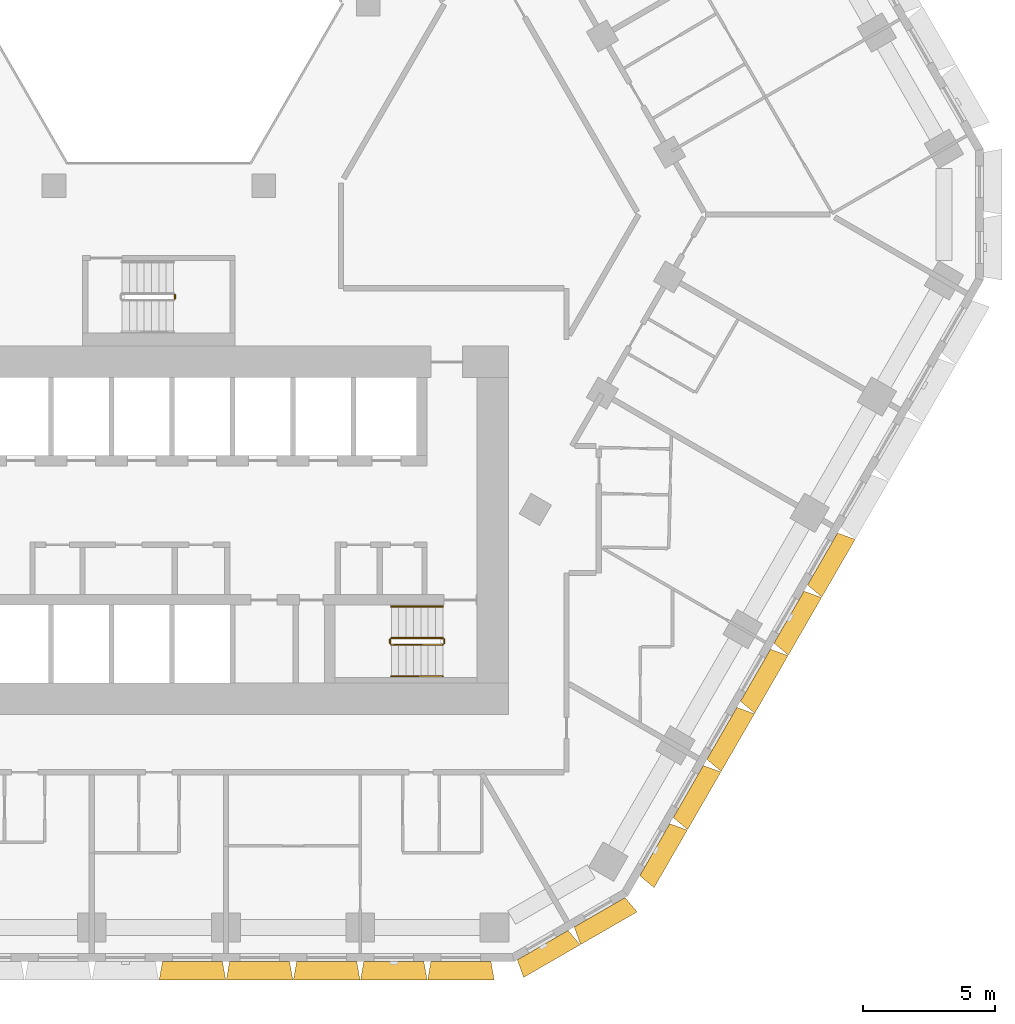
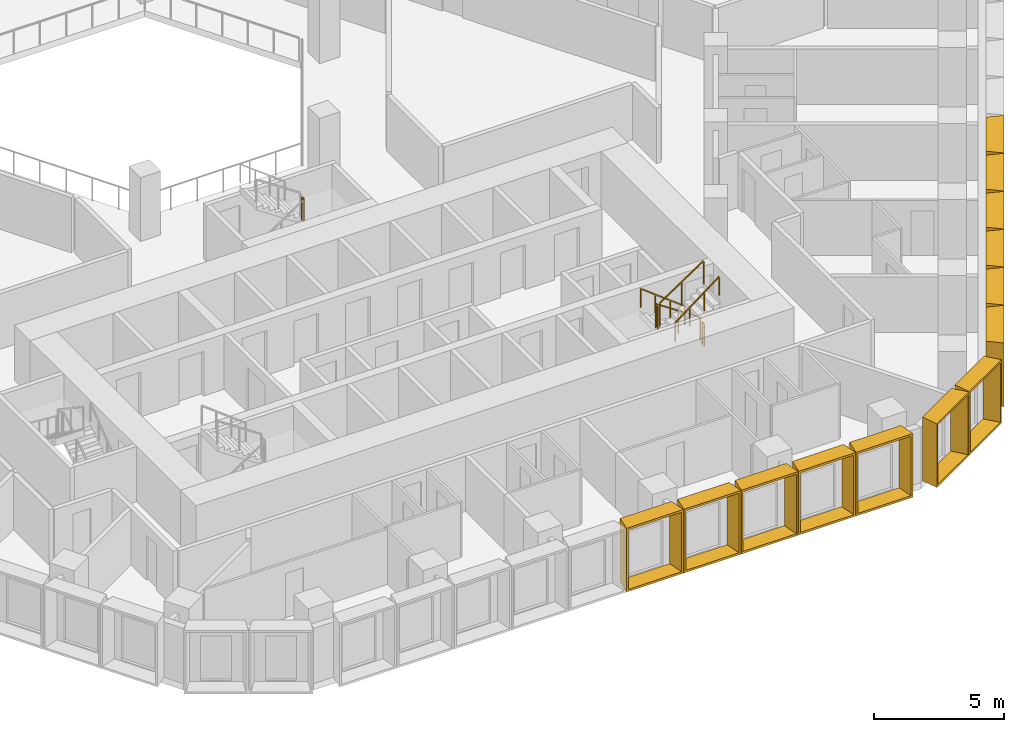
# One storey, part 20 of 21: 13 shading devices, 7 railings.
"""IFC4 building model written with IfcOpenShell, lengths in metres."""

from ifc_helpers import new_model, entity, si_unit, direction, frame, origin, origin_2d, place, context, subcontext, project, spatial, rectangle, extrude, source, transform, mapped, material, type_object, type_shapes, element, save


model = new_model("IFC4")

# Units and contexts
model_context = context("Model", 3, precision=1e-05, world=origin(), true_north=direction((0.0, 1.0)))
body_context = subcontext(model_context, "Body", "Model", "MODEL_VIEW")
ifc_project = project(units=[si_unit("LENGTHUNIT", "METRE"), si_unit("AREAUNIT", "SQUARE_METRE"), si_unit("VOLUMEUNIT", "CUBIC_METRE"), si_unit("PLANEANGLEUNIT", "RADIAN"), si_unit("MASSUNIT", "GRAM", prefix="KILO")], contexts=[model_context])

# Site, building, storey
site_placement = place(None, origin())
site = spatial("IfcSite", under=ifc_project, at=site_placement, CompositionType="ELEMENT")
building_placement = place(site_placement, origin())
building = spatial("IfcBuilding", under=site, at=building_placement, Name="Beryl Residences", CompositionType="ELEMENT")
storey_placement = place(building_placement, frame((0.0, 0.0, 59.39990234375)))
storey = spatial("IfcBuildingStorey", under=building, at=storey_placement, Name="L18", CompositionType="ELEMENT", Elevation=59.39990234375)

# Shading devices
ifc_material_1 = material(Name="Aluminium pale anodised", Category="aluminium")
shading_device_type_1 = type_object("IfcShadingDeviceType", Name="FR250-70A OUTER SKIN frame 700 mm deep, splay 10/10 deg, 2500 x 3000 mm cell", PredefinedType="USERDEFINED", material=ifc_material_1)
cartesian_point_1 = entity("IfcCartesianPoint", [-1.116455078125, 0.0])
cartesian_point_2 = entity("IfcCartesianPoint", [-1.03515625, 0.10009765625])
cartesian_point_3 = entity("IfcCartesianPoint", [-1.239990234375, 0.0])
cartesian_point_4 = entity("IfcCartesianPoint", [-1.15869140625, 0.10009765625])
shared_shape_1 = source(origin(), body_context, "Body", "SweptSolid", [
    entity("IfcExtrudedAreaSolidTapered", entity("IfcArbitraryProfileDefWithVoids", "AREA", None, entity("IfcPolyline", [cartesian_point_1, entity("IfcCartesianPoint", [1.116455078125, 0.0]), entity("IfcCartesianPoint", [1.116455078125, 3.0]), entity("IfcCartesianPoint", [-1.116455078125, 3.0]), cartesian_point_1]), [entity("IfcPolyline", [cartesian_point_2, entity("IfcCartesianPoint", [1.03515625, 0.10009765625]), entity("IfcCartesianPoint", [1.03515625, 2.89990234375]), entity("IfcCartesianPoint", [-1.03515625, 2.89990234375]), cartesian_point_2])]), entity("IfcAxis2Placement3D", entity("IfcCartesianPoint", [0.0, 0.0, 0.0]), entity("IfcDirection", [0.0, 1.0, 0.0]), entity("IfcDirection", [-1.0, 0.0, 0.0])), entity("IfcDirection", [0.0, 0.0, 1.0]), 0.699951171875, entity("IfcArbitraryProfileDefWithVoids", "AREA", None, entity("IfcPolyline", [cartesian_point_3, entity("IfcCartesianPoint", [1.239990234375, 0.0]), entity("IfcCartesianPoint", [1.239990234375, 3.0]), entity("IfcCartesianPoint", [-1.239990234375, 3.0]), cartesian_point_3]), [entity("IfcPolyline", [cartesian_point_4, entity("IfcCartesianPoint", [1.15869140625, 0.10009765625]), entity("IfcCartesianPoint", [1.15869140625, 2.89990234375]), entity("IfcCartesianPoint", [-1.15869140625, 2.89990234375]), cartesian_point_4])])),
])
type_shapes(shading_device_type_1, [shared_shape_1])
for number, where, z_axis, x_axis, name in (
    (1, (14.593017578125, -27.77490234375, 0.0), (0.0, 0.0, 1.0), (-0.866025403784, -0.5, 0.0), "FR250-70A frame L18 S-SE 1"),
    (2, (16.758056640625, -26.52490234375, 0.0), (0.0, 0.0, 1.0), (-0.866025403784, -0.5, 0.0), "FR250-70A frame L18 S-SE 2"),
):
    element("IfcShadingDevice", number, at=place(storey_placement, frame(where, z_axis=z_axis, x_axis=x_axis)), inside=storey, type_object=shading_device_type_1, Name=name, ObjectType="OUTER SKIN", PredefinedType="USERDEFINED", context=body_context, shape_type="MappedRepresentation", body=[
        mapped(shared_shape_1, transform((0.0, 0.0, 0.0))),
    ])
ifc_material_2 = material(Name="Aluminium pale anodised", Category="aluminium")
shading_device_type_2 = type_object("IfcShadingDeviceType", Name="FR255-70A OUTER SKIN frame 700 mm deep, splay 10/10 deg, 2550 x 3000 mm cell", PredefinedType="USERDEFINED", material=ifc_material_2)
cartesian_point_5 = entity("IfcCartesianPoint", [-1.1416015625, 0.0])
cartesian_point_6 = entity("IfcCartesianPoint", [-1.060302734375, 0.10009765625])
cartesian_point_7 = entity("IfcCartesianPoint", [-1.264892578125, 0.0])
cartesian_point_8 = entity("IfcCartesianPoint", [-1.18359375, 0.10009765625])
shared_shape_2 = source(origin(), body_context, "Body", "SweptSolid", [
    entity("IfcExtrudedAreaSolidTapered", entity("IfcArbitraryProfileDefWithVoids", "AREA", None, entity("IfcPolyline", [cartesian_point_5, entity("IfcCartesianPoint", [1.1416015625, 0.0]), entity("IfcCartesianPoint", [1.1416015625, 3.0]), entity("IfcCartesianPoint", [-1.1416015625, 3.0]), cartesian_point_5]), [entity("IfcPolyline", [cartesian_point_6, entity("IfcCartesianPoint", [1.060302734375, 0.10009765625]), entity("IfcCartesianPoint", [1.060302734375, 2.89990234375]), entity("IfcCartesianPoint", [-1.060302734375, 2.89990234375]), cartesian_point_6])]), entity("IfcAxis2Placement3D", entity("IfcCartesianPoint", [0.0, 0.0, 0.0]), entity("IfcDirection", [0.0, 1.0, 0.0]), entity("IfcDirection", [-1.0, 0.0, 0.0])), entity("IfcDirection", [0.0, 0.0, 1.0]), 0.699951171875, entity("IfcArbitraryProfileDefWithVoids", "AREA", None, entity("IfcPolyline", [cartesian_point_7, entity("IfcCartesianPoint", [1.264892578125, 0.0]), entity("IfcCartesianPoint", [1.264892578125, 3.0]), entity("IfcCartesianPoint", [-1.264892578125, 3.0]), cartesian_point_7]), [entity("IfcPolyline", [cartesian_point_8, entity("IfcCartesianPoint", [1.18359375, 0.10009765625]), entity("IfcCartesianPoint", [1.18359375, 2.89990234375]), entity("IfcCartesianPoint", [-1.18359375, 2.89990234375]), cartesian_point_8])])),
])
type_shapes(shading_device_type_2, [shared_shape_2])
for number, where, z_axis, x_axis, name in (
    (3, (1.277099609375, -28.39990234375, 0.0), (0.0, 0.0, 1.0), (-1.0, 0.0, 0.0), "FR255-70A frame L18 S 6"),
    (4, (3.8291015625, -28.39990234375, 0.0), (0.0, 0.0, 1.0), (-1.0, 0.0, 0.0), "FR255-70A frame L18 S 7"),
    (5, (6.381103515625, -28.39990234375, 0.0), (0.0, 0.0, 1.0), (-1.0, 0.0, 0.0), "FR255-70A frame L18 S 8"),
    (6, (8.93310546875, -28.39990234375, 0.0), (0.0, 0.0, 1.0), (-1.0, 0.0, 0.0), "FR255-70A frame L18 S 9"),
    (7, (11.485107421875, -28.39990234375, 0.0), (0.0, 0.0, 1.0), (-1.0, 0.0, 0.0), "FR255-70A frame L18 S 10"),
    (8, (18.85400390625, -24.14501953125, 0.0), (0.0, 0.0, 1.0), (-0.5, -0.866025403784, 0.0), "FR255-70A frame L18 SE 1"),
    (9, (20.1298828125, -21.93505859375, 0.0), (0.0, 0.0, 1.0), (-0.5, -0.866025403784, 0.0), "FR255-70A frame L18 SE 2"),
    (10, (21.406005859375, -19.72412109375, 0.0), (0.0, 0.0, 1.0), (-0.5, -0.866025403784, 0.0), "FR255-70A frame L18 SE 3"),
    (11, (22.681884765625, -17.513916015625, 0.0), (0.0, 0.0, 1.0), (-0.5, -0.866025403784, 0.0), "FR255-70A frame L18 SE 4"),
    (12, (23.9580078125, -15.303955078125, 0.0), (0.0, 0.0, 1.0), (-0.5, -0.866025403784, 0.0), "FR255-70A frame L18 SE 5"),
    (13, (25.23291015625, -13.093994140625, 0.0), (0.0, 0.0, 1.0), (-0.5, -0.866025403784, 0.0), "FR255-70A frame L18 SE 6"),
):
    element("IfcShadingDevice", number, at=place(storey_placement, frame(where, z_axis=z_axis, x_axis=x_axis)), inside=storey, type_object=shading_device_type_2, Name=name, ObjectType="OUTER SKIN", PredefinedType="USERDEFINED", context=body_context, shape_type="MappedRepresentation", body=[
        mapped(shared_shape_2, transform((0.0, 0.0, 0.0))),
    ])

# Railings
ifc_material_3 = material(Name="Stainless steel balustrade with glass infill", Category="steel")
railing_type_1 = type_object("IfcRailingType", Name="SG1 stair guard 1100 mm", PredefinedType="GUARDRAIL", material=ifc_material_3)
railing_1_placement = place(storey_placement, frame((10.800048828125, -16.10009765625, 0.1875)))
element("IfcRailing", 14, at=railing_1_placement, inside=storey, type_object=railing_type_1, Name="L18 ST-3 stair guard 1", PredefinedType="GUARDRAIL", context=body_context, shape_type="SweptSolid", body=[
    extrude(rectangle(XDim=0.048095703125, YDim=0.048095703125, at=origin_2d()), frame((0.0, 0.0, 1.076171875), z_axis=(-0.830902050051, 0.0, 0.556418712142), x_axis=(0.0, -1.0, 0.0)), (0.0, 0.0, 1.0), 2.35888671875),
    extrude(rectangle(XDim=0.0419921875, YDim=0.0419921875, at=origin_2d()), origin(), (0.0, 0.0, 1.0), 1.052001953125),
    extrude(rectangle(XDim=0.0419921875, YDim=0.0419921875, at=origin_2d()), frame((-0.97998046875, 0.0, 0.65625)), (0.0, 0.0, 1.0), 1.052001953125),
    extrude(rectangle(XDim=0.0419921875, YDim=0.0419921875, at=origin_2d()), frame((-1.9599609375, 0.0, 1.3125)), (0.0, 0.0, 1.0), 1.052001953125),
])
railing_2_placement = place(storey_placement, frame((8.7900390625, -16.14990234375, 1.5)))
element("IfcRailing", 15, at=railing_2_placement, inside=storey, type_object=railing_type_1, Name="L18 ST-3 stair guard 2", PredefinedType="GUARDRAIL", context=body_context, shape_type="SweptSolid", body=[
    extrude(rectangle(XDim=0.048095703125, YDim=0.048095703125, at=origin_2d()), frame((0.0, 0.0, 1.076171875), z_axis=(0.0, -1.0, 0.0), x_axis=(1.0, 0.0, 0.0)), (0.0, 0.0, 1.0), 0.150146484375),
    extrude(rectangle(XDim=0.0419921875, YDim=0.0419921875, at=origin_2d()), origin(), (0.0, 0.0, 1.0), 1.052001953125),
    extrude(rectangle(XDim=0.0419921875, YDim=0.0419921875, at=origin_2d()), frame((0.0, -0.150146484375, 0.0)), (0.0, 0.0, 1.0), 1.052001953125),
])
railing_3_placement = place(storey_placement, frame((8.840087890625, -16.35009765625, 1.6875)))
element("IfcRailing", 16, at=railing_3_placement, inside=storey, type_object=railing_type_1, Name="L18 ST-3 stair guard 3", PredefinedType="GUARDRAIL", context=body_context, shape_type="SweptSolid", body=[
    extrude(rectangle(XDim=0.048095703125, YDim=0.048095703125, at=origin_2d()), frame((0.0, 0.0, 1.076171875), z_axis=(0.830902050051, 0.0, 0.556418712142), x_axis=(0.0, 1.0, 0.0)), (0.0, 0.0, 1.0), 2.35888671875),
    extrude(rectangle(XDim=0.0419921875, YDim=0.0419921875, at=origin_2d()), origin(), (0.0, 0.0, 1.0), 1.052001953125),
    extrude(rectangle(XDim=0.0419921875, YDim=0.0419921875, at=origin_2d()), frame((0.97998046875, 0.0, 0.65625)), (0.0, 0.0, 1.0), 1.052001953125),
    extrude(rectangle(XDim=0.0419921875, YDim=0.0419921875, at=origin_2d()), frame((1.9599609375, 0.0, 1.3125)), (0.0, 0.0, 1.0), 1.052001953125),
])
railing_4_placement = place(storey_placement, frame((10.85009765625, -16.14990234375, 0.0)))
element("IfcRailing", 17, at=railing_4_placement, inside=storey, type_object=railing_type_1, Name="L18 ST-3 stair guard 4", PredefinedType="GUARDRAIL", context=body_context, shape_type="SweptSolid", body=[
    extrude(rectangle(XDim=0.048095703125, YDim=0.048095703125, at=origin_2d()), frame((0.0, 0.0, 1.076171875), z_axis=(0.0, -1.0, 0.0), x_axis=(1.0, 0.0, 0.0)), (0.0, 0.0, 1.0), 0.150146484375),
    extrude(rectangle(XDim=0.0419921875, YDim=0.0419921875, at=origin_2d()), origin(), (0.0, 0.0, 1.0), 1.052001953125),
    extrude(rectangle(XDim=0.0419921875, YDim=0.0419921875, at=origin_2d()), frame((0.0, -0.150146484375, 0.0)), (0.0, 0.0, 1.0), 1.052001953125),
])
railing_5_placement = place(storey_placement, frame((0.610107421875, -3.199951171875, 1.5)))
element("IfcRailing", 18, at=railing_5_placement, inside=storey, type_object=railing_type_1, Name="L18 ST-4 stair guard 2", PredefinedType="GUARDRAIL", context=body_context, shape_type="SweptSolid", body=[
    extrude(rectangle(XDim=0.048095703125, YDim=0.048095703125, at=origin_2d()), frame((0.0, 0.0, 1.076171875), z_axis=(0.0, 1.0, 0.0), x_axis=(-1.0, 0.0, 0.0)), (0.0, 0.0, 1.0), 0.14990234375),
    extrude(rectangle(XDim=0.0419921875, YDim=0.0419921875, at=origin_2d()), origin(), (0.0, 0.0, 1.0), 1.052001953125),
    extrude(rectangle(XDim=0.0419921875, YDim=0.0419921875, at=origin_2d()), frame((0.0, 0.14990234375, 0.0)), (0.0, 0.0, 1.0), 1.052001953125),
])
ifc_material_4 = material(Name="Stainless steel handrail", Category="steel")
railing_type_2 = type_object("IfcRailingType", Name="SRL1 stair handrail 900 mm", PredefinedType="HANDRAIL", material=ifc_material_4)
railing_6_placement = place(storey_placement, frame((10.800048828125, -14.89990234375, 0.1875)))
element("IfcRailing", 19, at=railing_6_placement, inside=storey, type_object=railing_type_2, Name="L18 ST-3 stair handrail 1", PredefinedType="HANDRAIL", context=body_context, shape_type="SweptSolid", body=[
    extrude(rectangle(XDim=0.048095703125, YDim=0.048095703125, at=origin_2d()), frame((0.0, 0.0, 0.8759765625), z_axis=(-0.794121922505, 0.0, 0.607758481798), x_axis=(0.0, -1.0, 0.0)), (0.0, 0.0, 1.0), 2.468017578125),
    extrude(rectangle(XDim=0.0419921875, YDim=0.0419921875, at=origin_2d()), origin(), (0.0, 0.0, 1.0), 0.851806640625),
    extrude(rectangle(XDim=0.0419921875, YDim=0.0419921875, at=origin_2d()), frame((-0.6533203125, 0.0, 0.5)), (0.0, 0.0, 1.0), 0.851806640625),
    extrude(rectangle(XDim=0.0419921875, YDim=0.0419921875, at=origin_2d()), frame((-1.306640625, 0.0, 1.0)), (0.0, 0.0, 1.0), 0.851806640625),
    extrude(rectangle(XDim=0.0419921875, YDim=0.0419921875, at=origin_2d()), frame((-1.9599609375, 0.0, 1.5)), (0.0, 0.0, 1.0), 0.851806640625),
])
railing_7_placement = place(storey_placement, frame((8.840087890625, -17.550048828125, 1.6875)))
element("IfcRailing", 20, at=railing_7_placement, inside=storey, type_object=railing_type_2, Name="L18 ST-3 stair handrail 2", PredefinedType="HANDRAIL", context=body_context, shape_type="SweptSolid", body=[
    extrude(rectangle(XDim=0.048095703125, YDim=0.048095703125, at=origin_2d()), frame((0.0, 0.0, 0.8759765625), z_axis=(0.794121922505, 0.0, 0.607758481798), x_axis=(0.0, 1.0, 0.0)), (0.0, 0.0, 1.0), 2.468017578125),
    extrude(rectangle(XDim=0.0419921875, YDim=0.0419921875, at=origin_2d()), origin(), (0.0, 0.0, 1.0), 0.851806640625),
    extrude(rectangle(XDim=0.0419921875, YDim=0.0419921875, at=origin_2d()), frame((0.6533203125, 0.0, 0.5)), (0.0, 0.0, 1.0), 0.851806640625),
    extrude(rectangle(XDim=0.0419921875, YDim=0.0419921875, at=origin_2d()), frame((1.306640625, 0.0, 1.0)), (0.0, 0.0, 1.0), 0.851806640625),
    extrude(rectangle(XDim=0.0419921875, YDim=0.0419921875, at=origin_2d()), frame((1.9599609375, 0.0, 1.5)), (0.0, 0.0, 1.0), 0.851806640625),
])

save(model, "model.ifc")
